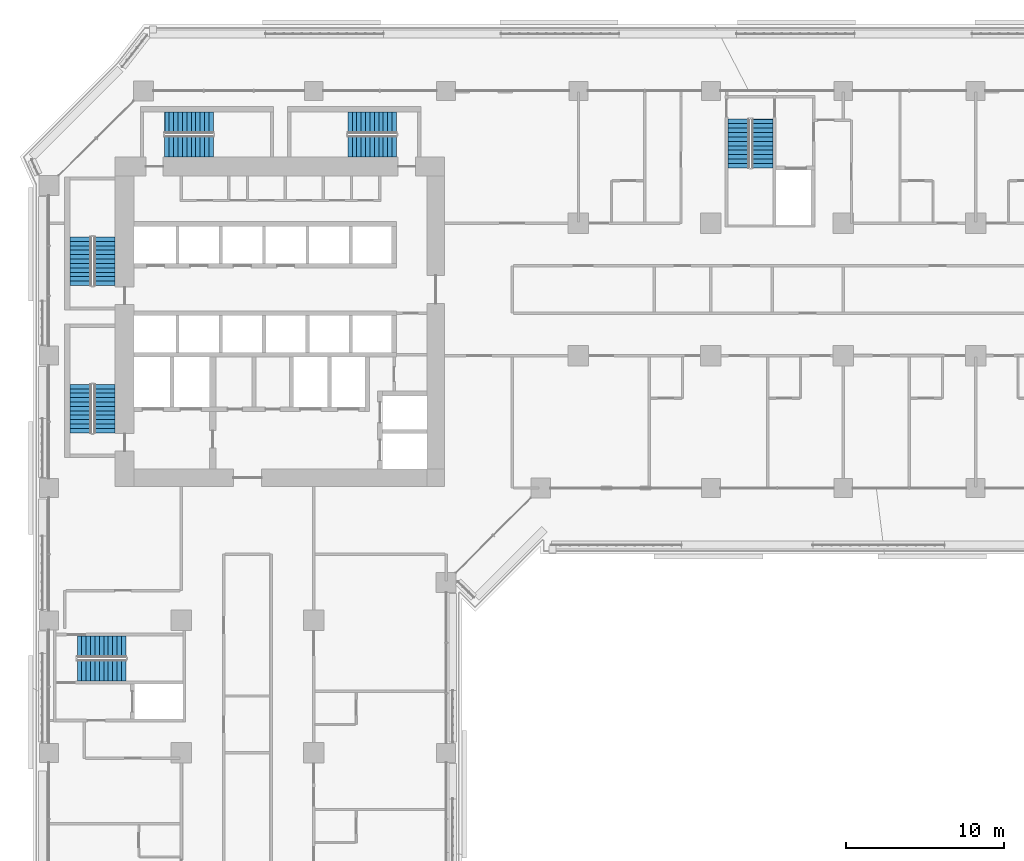
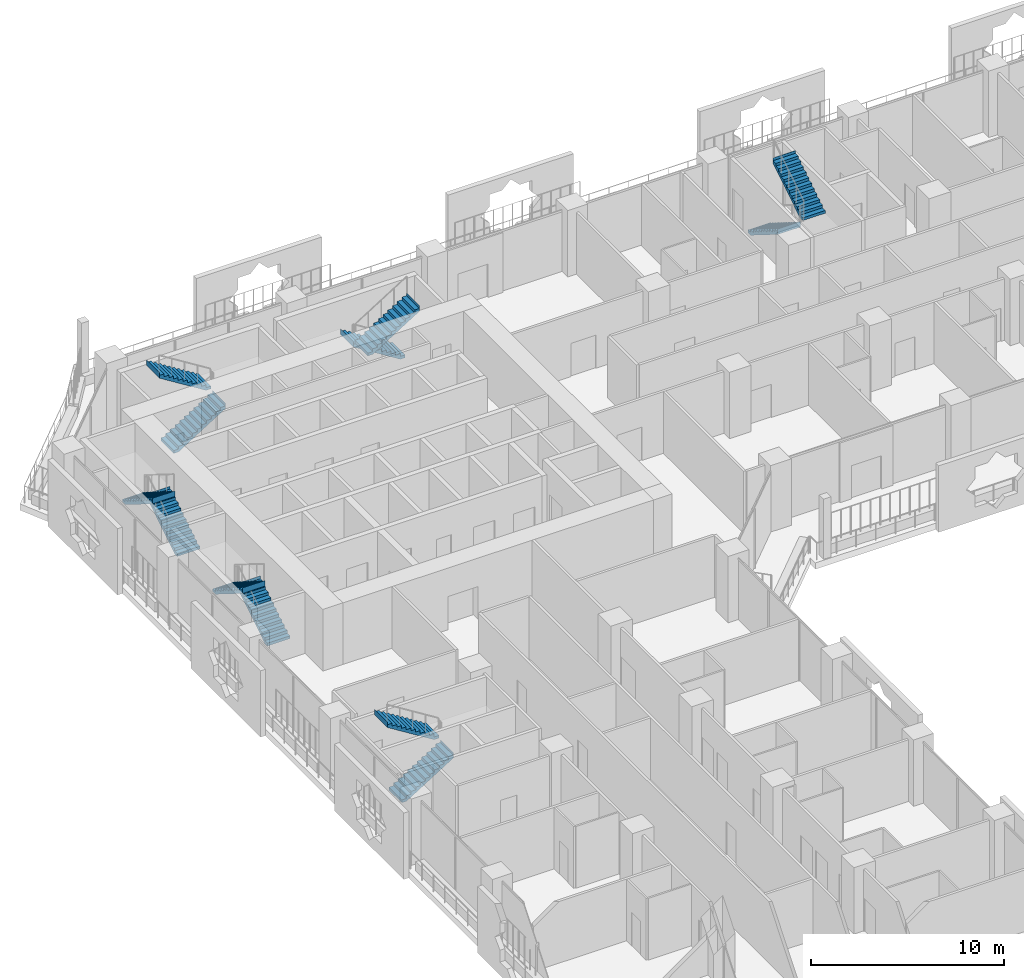
# One storey, part 20 of 28: 12 stair flights, 6 elements without a shape of their own.
"""IFC4 building model written with IfcOpenShell, lengths in metres."""

import ifcopenshell
import ifcopenshell.guid

model = None  # the IFC model being written
_history = None  # IfcOwnerHistory: only IFC2X3 demands one
_inside = {}  # id of a spatial element -> (the spatial element, [elements in it])
_under = {}  # id of a project, library or spatial element -> (it, [spatial elements below it])
_declared = {}  # id of a project -> (the project, [libraries it declares])
_typed = {}  # id of a type object -> (the type object, [elements of that type])
_made_of = {}  # id of a material, layer set ... -> (it, [elements and type objects made of it])


def new_model(schema):
    """Start an empty IFC model of exactly this schema.

    Asked for "IFC4X3", IfcOpenShell would pick the latest addendum, in which some entities
    have other attributes; the version numbers below select the first issue.
    IFC2X3 requires an IfcOwnerHistory on every rooted entity: one is made here for all.
    """
    global model, _history
    if schema == "IFC4X3":
        model = ifcopenshell.file(schema_version=(4, 3, 0, 0))
    else:
        model = ifcopenshell.file(schema=schema)
    _inside.clear()
    _under.clear()
    _declared.clear()
    _typed.clear()
    _made_of.clear()
    _history = None
    if model.schema == "IFC2X3":
        org = make("IfcOrganization", Name="unknown")
        user = make(
            "IfcPersonAndOrganization",
            ThePerson=make("IfcPerson", FamilyName="unknown"),
            TheOrganization=org,
        )
        app = make(
            "IfcApplication",
            ApplicationDeveloper=org,
            Version="unknown",
            ApplicationFullName="unknown",
            ApplicationIdentifier="unknown",
        )
        _history = make(
            "IfcOwnerHistory",
            OwningUser=user,
            OwningApplication=app,
            ChangeAction="ADDED",
            CreationDate=0,
        )
    return model


def make(cls, **values):
    """One entity of the class cls with the attributes given. An attribute that is None is left unset."""
    return model.create_entity(
        cls, **{name: value for name, value in values.items() if value is not None}
    )


def rooted(cls, **values):
    """An entity with a GlobalId (a new one), such as an element, a storey or a relation."""
    return make(cls, GlobalId=ifcopenshell.guid.new(), OwnerHistory=_history, **values)


def si_unit(unit_type, name, prefix=None):
    """IfcSIUnit, for example si_unit("LENGTHUNIT", "METRE", prefix="MILLI")."""
    return make("IfcSIUnit", UnitType=unit_type, Prefix=prefix, Name=name)


def assignment(units):
    """IfcUnitAssignment: the units of a project."""
    return None if units is None else make("IfcUnitAssignment", Units=units)


def point(xyz):
    """IfcCartesianPoint."""
    return None if xyz is None else make("IfcCartesianPoint", Coordinates=xyz)


def direction(xyz):
    """IfcDirection."""
    return None if xyz is None else make("IfcDirection", DirectionRatios=xyz)


def frame(location, z_axis=None, x_axis=None):
    """IfcAxis2Placement3D, a coordinate frame: its origin and axes. An axis left out is left unset."""
    return make(
        "IfcAxis2Placement3D",
        Location=point(location),
        Axis=direction(z_axis),
        RefDirection=direction(x_axis),
    )


def origin():
    """The frame at (0, 0, 0) with its axes left unset."""
    return frame((0.0, 0.0, 0.0))


def place(relative_to, where):
    """IfcLocalPlacement: puts the frame where relative to a parent placement (None: the world)."""
    return make(
        "IfcLocalPlacement", PlacementRelTo=relative_to, RelativePlacement=where
    )


def context(
    kind, dimensions, precision=None, world=None, true_north=None, identifier=None
):
    """IfcGeometricRepresentationContext, for example the 3D "Model" context."""
    return make(
        "IfcGeometricRepresentationContext",
        ContextIdentifier=identifier,
        ContextType=kind,
        CoordinateSpaceDimension=dimensions,
        Precision=precision,
        WorldCoordinateSystem=world,
        TrueNorth=true_north,
    )


def subcontext(parent, identifier, kind, view, scale=None):
    """IfcGeometricRepresentationSubContext, for example "Body" below "Model"."""
    return make(
        "IfcGeometricRepresentationSubContext",
        ContextIdentifier=identifier,
        ContextType=kind,
        ParentContext=parent,
        TargetScale=scale,
        TargetView=view,
    )


def project(units=None, contexts=None):
    """IfcProject with its units and contexts."""
    return rooted(
        "IfcProject",
        Name="project",
        RepresentationContexts=contexts,
        UnitsInContext=assignment(units),
    )


def spatial(cls, under=None, at=None, **own):
    """A site, building, storey or space (cls), placed at a placement, below another one or the project."""
    s = rooted(cls, ObjectPlacement=at, **own)
    if under is not None:
        _under.setdefault(under.id(), (under, []))[1].append(s)
    return s


def polyline(points):
    """IfcPolyline through the points."""
    return make("IfcPolyline", Points=[point(p) for p in points])


def outline(outer, holes=None, kind="AREA"):
    """IfcArbitraryClosedProfileDef: a profile drawn as a closed curve; with holes, ...WithVoids."""
    if holes is None:
        return make("IfcArbitraryClosedProfileDef", ProfileType=kind, OuterCurve=outer)
    return make(
        "IfcArbitraryProfileDefWithVoids",
        ProfileType=kind,
        OuterCurve=outer,
        InnerCurves=holes,
    )


def extrude(swept, where, along, depth):
    """IfcExtrudedAreaSolid: the profile swept, set in the frame where, extruded along a direction by depth."""
    return make(
        "IfcExtrudedAreaSolid",
        SweptArea=swept,
        Position=where,
        ExtrudedDirection=direction(along),
        Depth=depth,
    )


def shape(context_of_items, identifier, shape_type, items):
    """IfcShapeRepresentation: the items that make up one representation, for example the "Body"."""
    return make(
        "IfcShapeRepresentation",
        ContextOfItems=context_of_items,
        RepresentationIdentifier=identifier,
        RepresentationType=shape_type,
        Items=items,
    )


def material(Name=None, Category=None):
    """IfcMaterial."""
    return make("IfcMaterial", Name=Name, Category=Category)


def made_of(thing, what):
    """Note that an element or type object is made of a material, layer set ...; save() writes the relation."""
    if what is not None:
        _made_of.setdefault(what.id(), (what, []))[1].append(thing)
    return thing


def type_object(cls, material=None, **own):
    """A type object (cls), such as IfcWallType, which elements share."""
    return made_of(rooted(cls, **own), material)


def element(
    cls,
    number,
    at=None,
    inside=None,
    cuts=None,
    type_object=None,
    material=None,
    context=None,
    identifier="Body",
    shape_type=None,
    held_by="IfcProductDefinitionShape",
    body=None,
    shapes=None,
    **own,
):
    """One element of the class cls, such as IfcWall. Its Tag is "e" and its number.

    at: its placement. inside: the storey or other place that contains it. cuts: it is an
    opening in that element (IfcRelVoidsElement). A single representation is given by context,
    identifier, shape_type and body (its items); several are given by shapes. held_by: the class
    of the entity that holds the representations. save() writes the other relations.
    """
    e = rooted(cls, Tag="e%d" % number, ObjectPlacement=at, **own)
    if body is not None:
        shapes = [shape(context, identifier, shape_type, body)]
    if shapes is not None:
        e.Representation = make(held_by, Representations=shapes)
    if inside is not None:
        _inside.setdefault(inside.id(), (inside, []))[1].append(e)
    if cuts is not None:
        rooted(
            "IfcRelVoidsElement", RelatingBuildingElement=cuts, RelatedOpeningElement=e
        )
    if type_object is not None:
        _typed.setdefault(type_object.id(), (type_object, []))[1].append(e)
    return made_of(e, material)


def aggregate(whole, parts):
    """IfcRelAggregates: a whole, such as a stair, and the parts it consists of."""
    return rooted("IfcRelAggregates", RelatingObject=whole, RelatedObjects=parts)


def save(model, path):
    """Write the relations noted so far, then the file.

    IfcRelAggregates (storeys below a building ...), IfcRelContainedInSpatialStructure (elements
    in a storey), IfcRelDefinesByType, IfcRelAssociatesMaterial and IfcRelDeclares: one each for
    every whole, place, type object, material and project.
    """
    for whole, parts in _under.values():
        aggregate(whole, parts)
    for where, things in _inside.values():
        rooted(
            "IfcRelContainedInSpatialStructure",
            RelatedElements=things,
            RelatingStructure=where,
        )
    for kind, things in _typed.values():
        rooted("IfcRelDefinesByType", RelatedObjects=things, RelatingType=kind)
    for what, things in _made_of.values():
        rooted("IfcRelAssociatesMaterial", RelatedObjects=things, RelatingMaterial=what)
    for by, libraries in _declared.values():
        rooted("IfcRelDeclares", RelatingContext=by, RelatedDefinitions=libraries)
    model.write(path)


model = new_model("IFC4")

# Units and contexts
model_context = context("Model", 3, precision=1e-05, world=origin(), true_north=direction((0.0, 1.0)))
body_context = subcontext(model_context, "Body", "Model", "MODEL_VIEW")
ifc_project = project(units=[si_unit("LENGTHUNIT", "METRE"), si_unit("AREAUNIT", "SQUARE_METRE"), si_unit("VOLUMEUNIT", "CUBIC_METRE"), si_unit("PLANEANGLEUNIT", "RADIAN"), si_unit("MASSUNIT", "GRAM", prefix="KILO")], contexts=[model_context])

# Site, building, storey
site_placement = place(None, origin())
site = spatial("IfcSite", under=ifc_project, at=site_placement, CompositionType="ELEMENT")
building_placement = place(site_placement, origin())
building = spatial("IfcBuilding", under=site, at=building_placement, Name="Kawkab Arch Medical Tower", CompositionType="ELEMENT")
storey_placement = place(building_placement, frame((0.0, 0.0, 68.60009765625)))
storey = spatial("IfcBuildingStorey", under=building, at=storey_placement, Name="L15", CompositionType="ELEMENT", Elevation=68.60009765625)

# Stair, stair flights
ifc_material_1 = material(Name="Concrete C40/50", Category="concrete")
stair_type = type_object("IfcStairType", Name="Exit stair 1350", PredefinedType="HALF_TURN_STAIR", material=ifc_material_1)
placement = place(storey_placement, origin())
stair_1 = element("IfcStair", 1, at=placement, inside=storey, type_object=stair_type, Name="L15 Exit stair ST1", PredefinedType="HALF_TURN_STAIR")
ifc_material_2 = material(Name="Concrete C40/50", Category="concrete")
stair_flight_type = type_object("IfcStairFlightType", Name="Exit stair flight 1350", PredefinedType="STRAIGHT", material=ifc_material_2)
stair_flight_1_placement = place(storey_placement, frame((3.52490234375, -12.35009765625, 0.0), z_axis=(0.0, 0.0, 1.0), x_axis=(0.0, 1.0, 0.0)))
stair_flight_1 = element("IfcStairFlight", 2, at=stair_flight_1_placement, type_object=stair_flight_type, Name="ST1 flight 1", NumberOfRisers=12, NumberOfTreads=11, PredefinedType="STRAIGHT", RiserHeight=0.175, TreadLength=0.28, context=body_context, shape_type="SweptSolid", body=[
    extrude(outline(polyline([(-0.0029296875, 0.0), (-0.0029296875, 0.175048828125), (0.0, 0.175048828125), (0.280029296875, 0.175048828125), (0.280029296875, 0.35009765625), (0.56005859375, 0.35009765625), (0.56005859375, 0.52490234375), (0.840087890625, 0.52490234375), (0.840087890625, 0.699951171875), (1.1201171875, 0.699951171875), (1.1201171875, 0.875), (1.39990234375, 0.875), (1.39990234375, 1.050048828125), (1.679931640625, 1.050048828125), (1.679931640625, 1.22509765625), (1.9599609375, 1.22509765625), (1.9599609375, 1.39990234375), (2.239990234375, 1.39990234375), (2.239990234375, 1.574951171875), (2.52001953125, 1.574951171875), (2.52001953125, 1.75), (2.800048828125, 1.75), (2.800048828125, 1.925048828125), (3.080078125, 1.925048828125), (3.080078125, 2.10009765625), (3.0830078125, 2.10009765625), (3.0830078125, 1.748291015625), (3.080078125, 1.748291015625), (0.28271484375, 0.0), (-0.0029296875, 0.0)])), frame((0.0, 0.675048828125, 0.0), z_axis=(0.0, -1.0, 0.0), x_axis=(1.0, 0.0, 0.0)), (0.0, 0.0, 1.0), 1.35009765625),
])
stair_flight_2_placement = place(storey_placement, frame((2.02490234375, -9.27001953125, 2.099853515625), z_axis=(0.0, 0.0, 1.0), x_axis=(0.0, -1.0, 0.0)))
stair_flight_2 = element("IfcStairFlight", 3, at=stair_flight_2_placement, type_object=stair_flight_type, Name="ST1 flight 2", NumberOfRisers=12, NumberOfTreads=11, PredefinedType="STRAIGHT", RiserHeight=0.175, TreadLength=0.28, context=body_context, shape_type="SweptSolid", body=[
    extrude(outline(polyline([(-0.0029296875, 0.0), (-0.0029296875, 0.175048828125), (0.0, 0.175048828125), (0.280029296875, 0.175048828125), (0.280029296875, 0.35009765625), (0.56005859375, 0.35009765625), (0.56005859375, 0.52490234375), (0.840087890625, 0.52490234375), (0.840087890625, 0.699951171875), (1.1201171875, 0.699951171875), (1.1201171875, 0.875), (1.39990234375, 0.875), (1.39990234375, 1.050048828125), (1.679931640625, 1.050048828125), (1.679931640625, 1.22509765625), (1.9599609375, 1.22509765625), (1.9599609375, 1.39990234375), (2.239990234375, 1.39990234375), (2.239990234375, 1.574951171875), (2.52001953125, 1.574951171875), (2.52001953125, 1.75), (2.800048828125, 1.75), (2.800048828125, 1.925048828125), (3.080078125, 1.925048828125), (3.080078125, 2.10009765625), (3.0830078125, 2.10009765625), (3.0830078125, 1.748291015625), (3.080078125, 1.748291015625), (0.28271484375, 0.0), (-0.0029296875, 0.0)])), frame((0.0, 0.675048828125, 0.0), z_axis=(0.0, -1.0, 0.0), x_axis=(1.0, 0.0, 0.0)), (0.0, 0.0, 1.0), 1.35009765625),
])
aggregate(stair_1, [stair_flight_1, stair_flight_2])

stair_2 = element("IfcStair", 4, at=placement, inside=storey, type_object=stair_type, Name="L15 Exit stair ST2", PredefinedType="HALF_TURN_STAIR")
stair_flight_3_placement = place(storey_placement, frame((3.52490234375, -21.699951171875, 0.0), z_axis=(0.0, 0.0, 1.0), x_axis=(0.0, 1.0, 0.0)))
stair_flight_3 = element("IfcStairFlight", 5, at=stair_flight_3_placement, type_object=stair_flight_type, Name="ST2 flight 1", NumberOfRisers=12, NumberOfTreads=11, PredefinedType="STRAIGHT", RiserHeight=0.175, TreadLength=0.28, context=body_context, shape_type="SweptSolid", body=[
    extrude(outline(polyline([(-0.0029296875, 0.0), (-0.0029296875, 0.175048828125), (0.0, 0.175048828125), (0.280029296875, 0.175048828125), (0.280029296875, 0.35009765625), (0.56005859375, 0.35009765625), (0.56005859375, 0.52490234375), (0.840087890625, 0.52490234375), (0.840087890625, 0.699951171875), (1.1201171875, 0.699951171875), (1.1201171875, 0.875), (1.39990234375, 0.875), (1.39990234375, 1.050048828125), (1.679931640625, 1.050048828125), (1.679931640625, 1.22509765625), (1.9599609375, 1.22509765625), (1.9599609375, 1.39990234375), (2.239990234375, 1.39990234375), (2.239990234375, 1.574951171875), (2.52001953125, 1.574951171875), (2.52001953125, 1.75), (2.800048828125, 1.75), (2.800048828125, 1.925048828125), (3.080078125, 1.925048828125), (3.080078125, 2.10009765625), (3.0830078125, 2.10009765625), (3.0830078125, 1.748291015625), (3.080078125, 1.748291015625), (0.28271484375, 0.0), (-0.0029296875, 0.0)])), frame((0.0, 0.675048828125, 0.0), z_axis=(0.0, -1.0, 0.0), x_axis=(1.0, 0.0, 0.0)), (0.0, 0.0, 1.0), 1.35009765625),
])
stair_flight_4_placement = place(storey_placement, frame((2.02490234375, -18.6201171875, 2.099853515625), z_axis=(0.0, 0.0, 1.0), x_axis=(0.0, -1.0, 0.0)))
stair_flight_4 = element("IfcStairFlight", 6, at=stair_flight_4_placement, type_object=stair_flight_type, Name="ST2 flight 2", NumberOfRisers=12, NumberOfTreads=11, PredefinedType="STRAIGHT", RiserHeight=0.175, TreadLength=0.28, context=body_context, shape_type="SweptSolid", body=[
    extrude(outline(polyline([(-0.0029296875, 0.0), (-0.0029296875, 0.175048828125), (0.0, 0.175048828125), (0.280029296875, 0.175048828125), (0.280029296875, 0.35009765625), (0.56005859375, 0.35009765625), (0.56005859375, 0.52490234375), (0.840087890625, 0.52490234375), (0.840087890625, 0.699951171875), (1.1201171875, 0.699951171875), (1.1201171875, 0.875), (1.39990234375, 0.875), (1.39990234375, 1.050048828125), (1.679931640625, 1.050048828125), (1.679931640625, 1.22509765625), (1.9599609375, 1.22509765625), (1.9599609375, 1.39990234375), (2.239990234375, 1.39990234375), (2.239990234375, 1.574951171875), (2.52001953125, 1.574951171875), (2.52001953125, 1.75), (2.800048828125, 1.75), (2.800048828125, 1.925048828125), (3.080078125, 1.925048828125), (3.080078125, 2.10009765625), (3.0830078125, 2.10009765625), (3.0830078125, 1.748291015625), (3.080078125, 1.748291015625), (0.28271484375, 0.0), (-0.0029296875, 0.0)])), frame((0.0, 0.675048828125, 0.0), z_axis=(0.0, -1.0, 0.0), x_axis=(1.0, 0.0, 0.0)), (0.0, 0.0, 1.0), 1.35009765625),
])
aggregate(stair_2, [stair_flight_3, stair_flight_4])

stair_3 = element("IfcStair", 7, at=placement, inside=storey, type_object=stair_type, Name="L15 Exit stair ST3", PredefinedType="HALF_TURN_STAIR")
stair_flight_5_placement = place(storey_placement, frame((7.35009765625, -3.52490234375, 0.0), z_axis=(0.0, 0.0, 1.0), x_axis=(1.0, 0.0, 0.0)))
stair_flight_5 = element("IfcStairFlight", 8, at=stair_flight_5_placement, type_object=stair_flight_type, Name="ST3 flight 1", NumberOfRisers=12, NumberOfTreads=11, PredefinedType="STRAIGHT", RiserHeight=0.175, TreadLength=0.28, context=body_context, shape_type="SweptSolid", body=[
    extrude(outline(polyline([(-0.0029296875, 0.0), (-0.0029296875, 0.175048828125), (0.0, 0.175048828125), (0.280029296875, 0.175048828125), (0.280029296875, 0.35009765625), (0.56005859375, 0.35009765625), (0.56005859375, 0.52490234375), (0.840087890625, 0.52490234375), (0.840087890625, 0.699951171875), (1.1201171875, 0.699951171875), (1.1201171875, 0.875), (1.39990234375, 0.875), (1.39990234375, 1.050048828125), (1.679931640625, 1.050048828125), (1.679931640625, 1.22509765625), (1.9599609375, 1.22509765625), (1.9599609375, 1.39990234375), (2.239990234375, 1.39990234375), (2.239990234375, 1.574951171875), (2.52001953125, 1.574951171875), (2.52001953125, 1.75), (2.800048828125, 1.75), (2.800048828125, 1.925048828125), (3.080078125, 1.925048828125), (3.080078125, 2.10009765625), (3.0830078125, 2.10009765625), (3.0830078125, 1.748291015625), (3.080078125, 1.748291015625), (0.28271484375, 0.0), (-0.0029296875, 0.0)])), frame((0.0, 0.675048828125, 0.0), z_axis=(0.0, -1.0, 0.0), x_axis=(1.0, 0.0, 0.0)), (0.0, 0.0, 1.0), 1.35009765625),
])
stair_flight_6_placement = place(storey_placement, frame((10.429931640625, -2.02490234375, 2.099853515625), z_axis=(0.0, 0.0, 1.0), x_axis=(-1.0, 0.0, 0.0)))
stair_flight_6 = element("IfcStairFlight", 9, at=stair_flight_6_placement, type_object=stair_flight_type, Name="ST3 flight 2", NumberOfRisers=12, NumberOfTreads=11, PredefinedType="STRAIGHT", RiserHeight=0.175, TreadLength=0.28, context=body_context, shape_type="SweptSolid", body=[
    extrude(outline(polyline([(-0.0029296875, 0.0), (-0.0029296875, 0.175048828125), (0.0, 0.175048828125), (0.280029296875, 0.175048828125), (0.280029296875, 0.35009765625), (0.56005859375, 0.35009765625), (0.56005859375, 0.52490234375), (0.840087890625, 0.52490234375), (0.840087890625, 0.699951171875), (1.1201171875, 0.699951171875), (1.1201171875, 0.875), (1.39990234375, 0.875), (1.39990234375, 1.050048828125), (1.679931640625, 1.050048828125), (1.679931640625, 1.22509765625), (1.9599609375, 1.22509765625), (1.9599609375, 1.39990234375), (2.239990234375, 1.39990234375), (2.239990234375, 1.574951171875), (2.52001953125, 1.574951171875), (2.52001953125, 1.75), (2.800048828125, 1.75), (2.800048828125, 1.925048828125), (3.080078125, 1.925048828125), (3.080078125, 2.10009765625), (3.0830078125, 2.10009765625), (3.0830078125, 1.748291015625), (3.080078125, 1.748291015625), (0.28271484375, 0.0), (-0.0029296875, 0.0)])), frame((0.0, 0.675048828125, 0.0), z_axis=(0.0, -1.0, 0.0), x_axis=(1.0, 0.0, 0.0)), (0.0, 0.0, 1.0), 1.35009765625),
])
aggregate(stair_3, [stair_flight_5, stair_flight_6])

stair_4 = element("IfcStair", 10, at=placement, inside=storey, type_object=stair_type, Name="L15 Exit stair ST4", PredefinedType="HALF_TURN_STAIR")
stair_flight_7_placement = place(storey_placement, frame((22.050048828125, -2.02490234375, 0.0), z_axis=(0.0, 0.0, 1.0), x_axis=(-1.0, 0.0, 0.0)))
stair_flight_7 = element("IfcStairFlight", 11, at=stair_flight_7_placement, type_object=stair_flight_type, Name="ST4 flight 1", NumberOfRisers=12, NumberOfTreads=11, PredefinedType="STRAIGHT", RiserHeight=0.175, TreadLength=0.28, context=body_context, shape_type="SweptSolid", body=[
    extrude(outline(polyline([(-0.0029296875, 0.0), (-0.0029296875, 0.175048828125), (0.0, 0.175048828125), (0.280029296875, 0.175048828125), (0.280029296875, 0.35009765625), (0.56005859375, 0.35009765625), (0.56005859375, 0.52490234375), (0.840087890625, 0.52490234375), (0.840087890625, 0.699951171875), (1.1201171875, 0.699951171875), (1.1201171875, 0.875), (1.39990234375, 0.875), (1.39990234375, 1.050048828125), (1.679931640625, 1.050048828125), (1.679931640625, 1.22509765625), (1.9599609375, 1.22509765625), (1.9599609375, 1.39990234375), (2.239990234375, 1.39990234375), (2.239990234375, 1.574951171875), (2.52001953125, 1.574951171875), (2.52001953125, 1.75), (2.800048828125, 1.75), (2.800048828125, 1.925048828125), (3.080078125, 1.925048828125), (3.080078125, 2.10009765625), (3.0830078125, 2.10009765625), (3.0830078125, 1.748291015625), (3.080078125, 1.748291015625), (0.28271484375, 0.0), (-0.0029296875, 0.0)])), frame((0.0, 0.675048828125, 0.0), z_axis=(0.0, -1.0, 0.0), x_axis=(1.0, 0.0, 0.0)), (0.0, 0.0, 1.0), 1.35009765625),
])
stair_flight_8_placement = place(storey_placement, frame((18.969970703125, -3.52490234375, 2.099853515625), z_axis=(0.0, 0.0, 1.0), x_axis=(1.0, 0.0, 0.0)))
stair_flight_8 = element("IfcStairFlight", 12, at=stair_flight_8_placement, type_object=stair_flight_type, Name="ST4 flight 2", NumberOfRisers=12, NumberOfTreads=11, PredefinedType="STRAIGHT", RiserHeight=0.175, TreadLength=0.28, context=body_context, shape_type="SweptSolid", body=[
    extrude(outline(polyline([(-0.0029296875, 0.0), (-0.0029296875, 0.175048828125), (0.0, 0.175048828125), (0.280029296875, 0.175048828125), (0.280029296875, 0.35009765625), (0.56005859375, 0.35009765625), (0.56005859375, 0.52490234375), (0.840087890625, 0.52490234375), (0.840087890625, 0.699951171875), (1.1201171875, 0.699951171875), (1.1201171875, 0.875), (1.39990234375, 0.875), (1.39990234375, 1.050048828125), (1.679931640625, 1.050048828125), (1.679931640625, 1.22509765625), (1.9599609375, 1.22509765625), (1.9599609375, 1.39990234375), (2.239990234375, 1.39990234375), (2.239990234375, 1.574951171875), (2.52001953125, 1.574951171875), (2.52001953125, 1.75), (2.800048828125, 1.75), (2.800048828125, 1.925048828125), (3.080078125, 1.925048828125), (3.080078125, 2.10009765625), (3.0830078125, 2.10009765625), (3.0830078125, 1.748291015625), (3.080078125, 1.748291015625), (0.28271484375, 0.0), (-0.0029296875, 0.0)])), frame((0.0, 0.675048828125, 0.0), z_axis=(0.0, -1.0, 0.0), x_axis=(1.0, 0.0, 0.0)), (0.0, 0.0, 1.0), 1.35009765625),
])
aggregate(stair_4, [stair_flight_7, stair_flight_8])

stair_5 = element("IfcStair", 13, at=placement, inside=storey, type_object=stair_type, Name="L15 Exit stair ST5", PredefinedType="HALF_TURN_STAIR")
stair_flight_9_placement = place(storey_placement, frame((43.77490234375, -1.800048828125, 0.0), z_axis=(0.0, 0.0, 1.0), x_axis=(0.0, -1.0, 0.0)))
stair_flight_9 = element("IfcStairFlight", 14, at=stair_flight_9_placement, type_object=stair_flight_type, Name="ST5 flight 1", NumberOfRisers=12, NumberOfTreads=11, PredefinedType="STRAIGHT", RiserHeight=0.175, TreadLength=0.28, context=body_context, shape_type="SweptSolid", body=[
    extrude(outline(polyline([(-0.0029296875, 0.0), (-0.0029296875, 0.175048828125), (0.0, 0.175048828125), (0.280029296875, 0.175048828125), (0.280029296875, 0.35009765625), (0.56005859375, 0.35009765625), (0.56005859375, 0.52490234375), (0.840087890625, 0.52490234375), (0.840087890625, 0.699951171875), (1.1201171875, 0.699951171875), (1.1201171875, 0.875), (1.39990234375, 0.875), (1.39990234375, 1.050048828125), (1.679931640625, 1.050048828125), (1.679931640625, 1.22509765625), (1.9599609375, 1.22509765625), (1.9599609375, 1.39990234375), (2.239990234375, 1.39990234375), (2.239990234375, 1.574951171875), (2.52001953125, 1.574951171875), (2.52001953125, 1.75), (2.800048828125, 1.75), (2.800048828125, 1.925048828125), (3.080078125, 1.925048828125), (3.080078125, 2.10009765625), (3.0830078125, 2.10009765625), (3.0830078125, 1.748291015625), (3.080078125, 1.748291015625), (0.28271484375, 0.0), (-0.0029296875, 0.0)])), frame((0.0, 0.675048828125, 0.0), z_axis=(0.0, -1.0, 0.0), x_axis=(1.0, 0.0, 0.0)), (0.0, 0.0, 1.0), 1.35009765625),
])
stair_flight_10_placement = place(storey_placement, frame((45.27490234375, -4.8798828125, 2.099853515625), z_axis=(0.0, 0.0, 1.0), x_axis=(0.0, 1.0, 0.0)))
stair_flight_10 = element("IfcStairFlight", 15, at=stair_flight_10_placement, type_object=stair_flight_type, Name="ST5 flight 2", NumberOfRisers=12, NumberOfTreads=11, PredefinedType="STRAIGHT", RiserHeight=0.175, TreadLength=0.28, context=body_context, shape_type="SweptSolid", body=[
    extrude(outline(polyline([(-0.0029296875, 0.0), (-0.0029296875, 0.175048828125), (0.0, 0.175048828125), (0.280029296875, 0.175048828125), (0.280029296875, 0.35009765625), (0.56005859375, 0.35009765625), (0.56005859375, 0.52490234375), (0.840087890625, 0.52490234375), (0.840087890625, 0.699951171875), (1.1201171875, 0.699951171875), (1.1201171875, 0.875), (1.39990234375, 0.875), (1.39990234375, 1.050048828125), (1.679931640625, 1.050048828125), (1.679931640625, 1.22509765625), (1.9599609375, 1.22509765625), (1.9599609375, 1.39990234375), (2.239990234375, 1.39990234375), (2.239990234375, 1.574951171875), (2.52001953125, 1.574951171875), (2.52001953125, 1.75), (2.800048828125, 1.75), (2.800048828125, 1.925048828125), (3.080078125, 1.925048828125), (3.080078125, 2.10009765625), (3.0830078125, 2.10009765625), (3.0830078125, 1.748291015625), (3.080078125, 1.748291015625), (0.28271484375, 0.0), (-0.0029296875, 0.0)])), frame((0.0, 0.675048828125, 0.0), z_axis=(0.0, -1.0, 0.0), x_axis=(1.0, 0.0, 0.0)), (0.0, 0.0, 1.0), 1.35009765625),
])
aggregate(stair_5, [stair_flight_9, stair_flight_10])

stair_6 = element("IfcStair", 16, at=placement, inside=storey, type_object=stair_type, Name="L15 Exit stair ST6", PredefinedType="HALF_TURN_STAIR")
stair_flight_11_placement = place(storey_placement, frame((1.800048828125, -36.77490234375, 0.0), z_axis=(0.0, 0.0, 1.0), x_axis=(1.0, 0.0, 0.0)))
stair_flight_11 = element("IfcStairFlight", 17, at=stair_flight_11_placement, type_object=stair_flight_type, Name="ST6 flight 1", NumberOfRisers=12, NumberOfTreads=11, PredefinedType="STRAIGHT", RiserHeight=0.175, TreadLength=0.28, context=body_context, shape_type="SweptSolid", body=[
    extrude(outline(polyline([(-0.0029296875, 0.0), (-0.0029296875, 0.175048828125), (0.0, 0.175048828125), (0.280029296875, 0.175048828125), (0.280029296875, 0.35009765625), (0.56005859375, 0.35009765625), (0.56005859375, 0.52490234375), (0.840087890625, 0.52490234375), (0.840087890625, 0.699951171875), (1.1201171875, 0.699951171875), (1.1201171875, 0.875), (1.39990234375, 0.875), (1.39990234375, 1.050048828125), (1.679931640625, 1.050048828125), (1.679931640625, 1.22509765625), (1.9599609375, 1.22509765625), (1.9599609375, 1.39990234375), (2.239990234375, 1.39990234375), (2.239990234375, 1.574951171875), (2.52001953125, 1.574951171875), (2.52001953125, 1.75), (2.800048828125, 1.75), (2.800048828125, 1.925048828125), (3.080078125, 1.925048828125), (3.080078125, 2.10009765625), (3.0830078125, 2.10009765625), (3.0830078125, 1.748291015625), (3.080078125, 1.748291015625), (0.28271484375, 0.0), (-0.0029296875, 0.0)])), frame((0.0, 0.675048828125, 0.0), z_axis=(0.0, -1.0, 0.0), x_axis=(1.0, 0.0, 0.0)), (0.0, 0.0, 1.0), 1.35009765625),
])
stair_flight_12_placement = place(storey_placement, frame((4.8798828125, -35.27490234375, 2.099853515625), z_axis=(0.0, 0.0, 1.0), x_axis=(-1.0, 0.0, 0.0)))
stair_flight_12 = element("IfcStairFlight", 18, at=stair_flight_12_placement, type_object=stair_flight_type, Name="ST6 flight 2", NumberOfRisers=12, NumberOfTreads=11, PredefinedType="STRAIGHT", RiserHeight=0.175, TreadLength=0.28, context=body_context, shape_type="SweptSolid", body=[
    extrude(outline(polyline([(-0.0029296875, 0.0), (-0.0029296875, 0.175048828125), (0.0, 0.175048828125), (0.280029296875, 0.175048828125), (0.280029296875, 0.35009765625), (0.56005859375, 0.35009765625), (0.56005859375, 0.52490234375), (0.840087890625, 0.52490234375), (0.840087890625, 0.699951171875), (1.1201171875, 0.699951171875), (1.1201171875, 0.875), (1.39990234375, 0.875), (1.39990234375, 1.050048828125), (1.679931640625, 1.050048828125), (1.679931640625, 1.22509765625), (1.9599609375, 1.22509765625), (1.9599609375, 1.39990234375), (2.239990234375, 1.39990234375), (2.239990234375, 1.574951171875), (2.52001953125, 1.574951171875), (2.52001953125, 1.75), (2.800048828125, 1.75), (2.800048828125, 1.925048828125), (3.080078125, 1.925048828125), (3.080078125, 2.10009765625), (3.0830078125, 2.10009765625), (3.0830078125, 1.748291015625), (3.080078125, 1.748291015625), (0.28271484375, 0.0), (-0.0029296875, 0.0)])), frame((0.0, 0.675048828125, 0.0), z_axis=(0.0, -1.0, 0.0), x_axis=(1.0, 0.0, 0.0)), (0.0, 0.0, 1.0), 1.35009765625),
])
aggregate(stair_6, [stair_flight_11, stair_flight_12])

save(model, "model.ifc")
